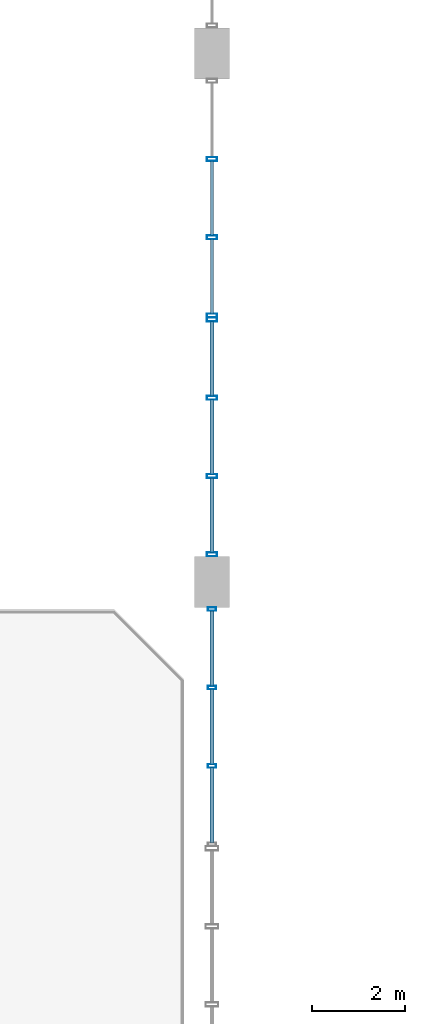
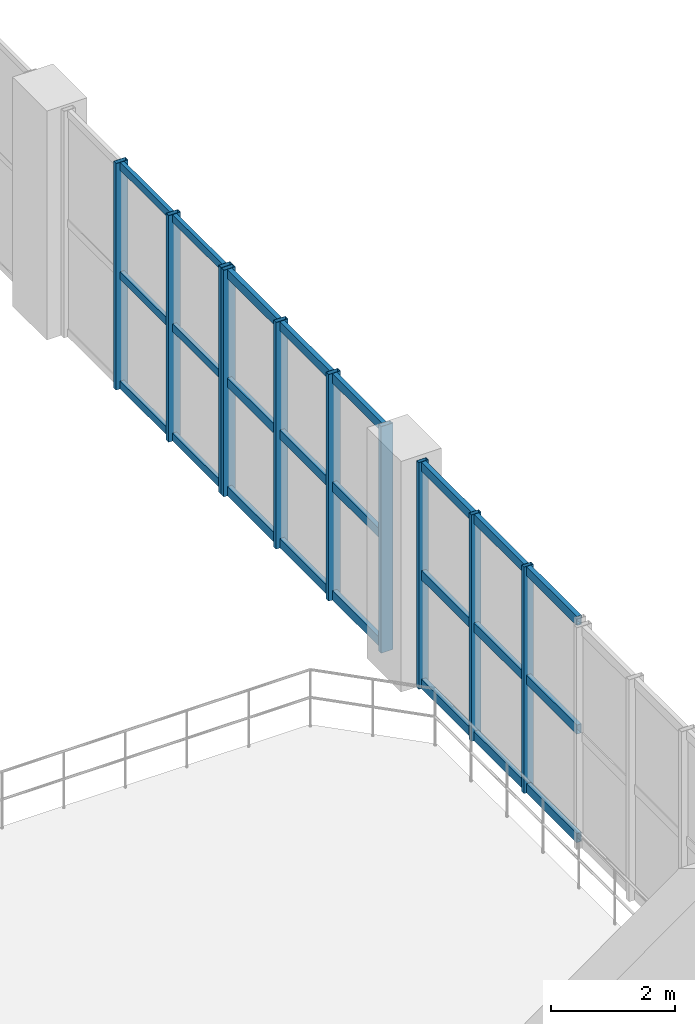
# One storey, part 37 of 80: 34 members, 3 elements without a shape of their own.
"""IFC4 building model written with IfcOpenShell, lengths in metres."""

from ifc_helpers import new_model, si_unit, direction, frame, origin, origin_2d, place, context, subcontext, project, spatial, hollow_rectangle, extrude, material, layer, layer_set, material_profile, profile_set, type_object, element, aggregate, save


model = new_model("IFC4")

# Units and contexts
model_context = context("Model", 3, precision=1e-05, world=origin(), true_north=direction((0.0, 1.0)))
body_context = subcontext(model_context, "Body", "Model", "MODEL_VIEW")
ifc_project = project(units=[si_unit("LENGTHUNIT", "METRE"), si_unit("AREAUNIT", "SQUARE_METRE"), si_unit("VOLUMEUNIT", "CUBIC_METRE"), si_unit("PLANEANGLEUNIT", "RADIAN"), si_unit("MASSUNIT", "GRAM", prefix="KILO"), si_unit("POWERUNIT", "WATT"), si_unit("THERMODYNAMICTEMPERATUREUNIT", "KELVIN")], contexts=[model_context])

# Site, building, storey
site_placement = place(None, origin())
site = spatial("IfcSite", under=ifc_project, at=site_placement, CompositionType="ELEMENT")
building_placement = place(site_placement, origin())
building = spatial("IfcBuilding", under=site, at=building_placement, Name="Kelmbourne Parkland Aquatics Centre", CompositionType="ELEMENT")
storey_placement = place(building_placement, frame((0.0, 0.0, 10.199951171875)))
storey = spatial("IfcBuildingStorey", under=building, at=storey_placement, Name="L02", CompositionType="ELEMENT", Elevation=10.199951171875)

# Curtain wall, members
ifc_material = material(Name="Thermally broken anodised aluminium framing", Category="aluminium")
ifc_layer_1 = layer(ifc_material, 0.179931640625)
ifc_layer_set_1 = layer_set([ifc_layer_1], Name="Thermally broken anodised aluminium framing")
curtain_wall_type_1 = type_object("IfcCurtainWallType", Name="CW-08", PredefinedType="NOTDEFINED", material=ifc_layer_set_1)
curtain_wall_1_placement = place(storey_placement, origin())
curtain_wall_1 = element("IfcCurtainWall", 1, at=curtain_wall_1_placement, inside=storey, type_object=curtain_wall_type_1, Name="Wave-hall clerestory curtain wall CW-L02-056", PredefinedType="NOTDEFINED")
ifc_material_profile_1 = material_profile(ifc_material, hollow_rectangle(XDim=0.074951171875, YDim=0.179931640625, WallThickness=0.00439453125, at=origin_2d()), Name="CW-M 75x180")
ifc_profile_set_1 = profile_set([ifc_material_profile_1], Name="Thermally broken anodised aluminium framing")
member_type_1 = type_object("IfcMemberType", Name="MB-MUL-2", PredefinedType="MULLION", material=ifc_profile_set_1)
member_1_placement = place(storey_placement, frame((128.0, 65.228515625, 0.0), z_axis=(0.0, 0.0, 1.0), x_axis=(0.0, 1.0, 0.0)))
member_1 = element("IfcMember", 2, at=member_1_placement, type_object=member_type_1, Name="CW-L02-056 mullion 1", PredefinedType="MULLION", context=body_context, shape_type="SweptSolid", body=[
    extrude(hollow_rectangle(XDim=0.074951171875, YDim=0.179931640625, WallThickness=0.00439453125, at=origin_2d()), origin(), (0.0, 0.0, 1.0), 4.449951171875),
])
member_2_placement = place(storey_placement, frame((128.0, 66.91943359375, 0.0), z_axis=(0.0, 0.0, 1.0), x_axis=(0.0, 1.0, 0.0)))
member_2 = element("IfcMember", 3, at=member_2_placement, type_object=member_type_1, Name="CW-L02-056 mullion 2", PredefinedType="MULLION", context=body_context, shape_type="SweptSolid", body=[
    extrude(hollow_rectangle(XDim=0.074951171875, YDim=0.179931640625, WallThickness=0.00439453125, at=origin_2d()), origin(), (0.0, 0.0, 1.0), 4.449951171875),
])
member_3_placement = place(storey_placement, frame((128.0, 68.610595703125, 0.0), z_axis=(0.0, 0.0, 1.0), x_axis=(0.0, 1.0, 0.0)))
member_3 = element("IfcMember", 4, at=member_3_placement, type_object=member_type_1, Name="CW-L02-056 mullion 3", PredefinedType="MULLION", context=body_context, shape_type="SweptSolid", body=[
    extrude(hollow_rectangle(XDim=0.074951171875, YDim=0.179931640625, WallThickness=0.00439453125, at=origin_2d()), origin(), (0.0, 0.0, 1.0), 4.449951171875),
])

ifc_layer_2 = layer(ifc_material, 0.179931640625)
ifc_layer_set_2 = layer_set([ifc_layer_2], Name="Thermally broken anodised aluminium framing")
curtain_wall_type_2 = type_object("IfcCurtainWallType", Name="CW-14", PredefinedType="NOTDEFINED", material=ifc_layer_set_2)
curtain_wall_2_placement = place(storey_placement, origin())
curtain_wall_2 = element("IfcCurtainWall", 5, at=curtain_wall_2_placement, inside=storey, type_object=curtain_wall_type_2, Name="Wave-hall clerestory curtain wall CW-L02-062", PredefinedType="NOTDEFINED")
ifc_material_profile_2 = material_profile(ifc_material, hollow_rectangle(XDim=0.0849609375, YDim=0.219970703125, WallThickness=0.0048828125, at=origin_2d()), Name="CW-M 85x220")
ifc_profile_set_2 = profile_set([ifc_material_profile_2], Name="Thermally broken anodised aluminium framing")
member_type_2 = type_object("IfcMemberType", Name="MB-MUL-3", PredefinedType="MULLION", material=ifc_profile_set_2)
member_4_placement = place(storey_placement, frame((128.0, 69.79443359375, 0.0), z_axis=(0.0, 0.0, 1.0), x_axis=(0.0, 1.0, 0.0)))
member_4 = element("IfcMember", 6, at=member_4_placement, type_object=member_type_2, Name="CW-L02-062 mullion 0", PredefinedType="MULLION", context=body_context, shape_type="SweptSolid", body=[
    extrude(hollow_rectangle(XDim=0.0849609375, YDim=0.219970703125, WallThickness=0.0048828125, at=origin_2d()), origin(), (0.0, 0.0, 1.0), 4.449951171875),
])
member_5_placement = place(storey_placement, frame((128.0, 71.482177734375, 0.0), z_axis=(0.0, 0.0, 1.0), x_axis=(0.0, 1.0, 0.0)))
member_5 = element("IfcMember", 7, at=member_5_placement, type_object=member_type_2, Name="CW-L02-062 mullion 1", PredefinedType="MULLION", context=body_context, shape_type="SweptSolid", body=[
    extrude(hollow_rectangle(XDim=0.0849609375, YDim=0.219970703125, WallThickness=0.0048828125, at=origin_2d()), origin(), (0.0, 0.0, 1.0), 4.449951171875),
])
member_6_placement = place(storey_placement, frame((128.0, 73.169921875, 0.0), z_axis=(0.0, 0.0, 1.0), x_axis=(0.0, 1.0, 0.0)))
member_6 = element("IfcMember", 8, at=member_6_placement, type_object=member_type_2, Name="CW-L02-062 mullion 2", PredefinedType="MULLION", context=body_context, shape_type="SweptSolid", body=[
    extrude(hollow_rectangle(XDim=0.0849609375, YDim=0.219970703125, WallThickness=0.0048828125, at=origin_2d()), origin(), (0.0, 0.0, 1.0), 4.449951171875),
])
member_7_placement = place(storey_placement, frame((128.0, 74.857421875, 0.0), z_axis=(0.0, 0.0, 1.0), x_axis=(0.0, 1.0, 0.0)))
member_7 = element("IfcMember", 9, at=member_7_placement, type_object=member_type_2, Name="CW-L02-062 mullion 3", PredefinedType="MULLION", context=body_context, shape_type="SweptSolid", body=[
    extrude(hollow_rectangle(XDim=0.0849609375, YDim=0.219970703125, WallThickness=0.0048828125, at=origin_2d()), origin(), (0.0, 0.0, 1.0), 4.449951171875),
])

ifc_layer_3 = layer(ifc_material, 0.179931640625)
ifc_layer_set_3 = layer_set([ifc_layer_3], Name="Thermally broken anodised aluminium framing")
curtain_wall_type_3 = type_object("IfcCurtainWallType", Name="CW-19", PredefinedType="NOTDEFINED", material=ifc_layer_set_3)
curtain_wall_3_placement = place(storey_placement, origin())
curtain_wall_3 = element("IfcCurtainWall", 10, at=curtain_wall_3_placement, inside=storey, type_object=curtain_wall_type_3, Name="Wave-hall clerestory curtain wall CW-L02-067", PredefinedType="NOTDEFINED")
member_8_placement = place(storey_placement, frame((128.0, 74.9423828125, 0.0), z_axis=(0.0, 0.0, 1.0), x_axis=(0.0, 1.0, 0.0)))
member_8 = element("IfcMember", 11, at=member_8_placement, type_object=member_type_2, Name="CW-L02-067 mullion 0", PredefinedType="MULLION", context=body_context, shape_type="SweptSolid", body=[
    extrude(hollow_rectangle(XDim=0.0849609375, YDim=0.219970703125, WallThickness=0.0048828125, at=origin_2d()), origin(), (0.0, 0.0, 1.0), 4.449951171875),
])
member_9_placement = place(storey_placement, frame((128.0, 76.630126953125, 0.0), z_axis=(0.0, 0.0, 1.0), x_axis=(0.0, 1.0, 0.0)))
member_9 = element("IfcMember", 12, at=member_9_placement, type_object=member_type_2, Name="CW-L02-067 mullion 1", PredefinedType="MULLION", context=body_context, shape_type="SweptSolid", body=[
    extrude(hollow_rectangle(XDim=0.0849609375, YDim=0.219970703125, WallThickness=0.0048828125, at=origin_2d()), origin(), (0.0, 0.0, 1.0), 4.449951171875),
])
member_10_placement = place(storey_placement, frame((128.0, 78.31787109375, 0.0), z_axis=(0.0, 0.0, 1.0), x_axis=(0.0, 1.0, 0.0)))
member_10 = element("IfcMember", 13, at=member_10_placement, type_object=member_type_2, Name="CW-L02-067 mullion 2", PredefinedType="MULLION", context=body_context, shape_type="SweptSolid", body=[
    extrude(hollow_rectangle(XDim=0.0849609375, YDim=0.219970703125, WallThickness=0.0048828125, at=origin_2d()), origin(), (0.0, 0.0, 1.0), 4.449951171875),
])
ifc_material_profile_3 = material_profile(ifc_material, hollow_rectangle(XDim=0.074951171875, YDim=0.14990234375, WallThickness=0.00390625, at=origin_2d()), Name="CW-T 75x150")
ifc_profile_set_3 = profile_set([ifc_material_profile_3], Name="Thermally broken anodised aluminium framing")
member_type_3 = type_object("IfcMemberType", Name="MB-TRN-2", PredefinedType="USERDEFINED", material=ifc_profile_set_3)
member_11_placement = place(storey_placement, frame((128.0, 74.98095703125, 0.078125), z_axis=(0.0, 1.0, 0.0), x_axis=(-1.0, 0.0, 0.0)))
member_11 = element("IfcMember", 14, at=member_11_placement, type_object=member_type_3, Name="CW-L02-067 transom 0-0", ObjectType="TRANSOM", PredefinedType="USERDEFINED", context=body_context, shape_type="SweptSolid", body=[
    extrude(hollow_rectangle(XDim=0.074951171875, YDim=0.14990234375, WallThickness=0.00390625, at=origin_2d()), origin(), (0.0, 0.0, 1.0), 1.61083984375),
])
member_12_placement = place(storey_placement, frame((128.0, 76.668701171875, 0.078125), z_axis=(0.0, 1.0, 0.0), x_axis=(-1.0, 0.0, 0.0)))
member_12 = element("IfcMember", 15, at=member_12_placement, type_object=member_type_3, Name="CW-L02-067 transom 0-1", ObjectType="TRANSOM", PredefinedType="USERDEFINED", context=body_context, shape_type="SweptSolid", body=[
    extrude(hollow_rectangle(XDim=0.074951171875, YDim=0.14990234375, WallThickness=0.00390625, at=origin_2d()), origin(), (0.0, 0.0, 1.0), 1.610595703125),
])
member_13_placement = place(storey_placement, frame((128.0, 74.98095703125, 2.22509765625), z_axis=(0.0, 1.0, 0.0), x_axis=(-1.0, 0.0, 0.0)))
member_13 = element("IfcMember", 16, at=member_13_placement, type_object=member_type_3, Name="CW-L02-067 transom 1-0", ObjectType="TRANSOM", PredefinedType="USERDEFINED", context=body_context, shape_type="SweptSolid", body=[
    extrude(hollow_rectangle(XDim=0.074951171875, YDim=0.14990234375, WallThickness=0.00390625, at=origin_2d()), origin(), (0.0, 0.0, 1.0), 1.61083984375),
])
member_14_placement = place(storey_placement, frame((128.0, 76.668701171875, 2.22509765625), z_axis=(0.0, 1.0, 0.0), x_axis=(-1.0, 0.0, 0.0)))
member_14 = element("IfcMember", 17, at=member_14_placement, type_object=member_type_3, Name="CW-L02-067 transom 1-1", ObjectType="TRANSOM", PredefinedType="USERDEFINED", context=body_context, shape_type="SweptSolid", body=[
    extrude(hollow_rectangle(XDim=0.074951171875, YDim=0.14990234375, WallThickness=0.00390625, at=origin_2d()), origin(), (0.0, 0.0, 1.0), 1.610595703125),
])
member_15_placement = place(storey_placement, frame((128.0, 74.98095703125, 4.3720703125), z_axis=(0.0, 1.0, 0.0), x_axis=(-1.0, 0.0, 0.0)))
member_15 = element("IfcMember", 18, at=member_15_placement, type_object=member_type_3, Name="CW-L02-067 transom 2-0", ObjectType="TRANSOM", PredefinedType="USERDEFINED", context=body_context, shape_type="SweptSolid", body=[
    extrude(hollow_rectangle(XDim=0.074951171875, YDim=0.14990234375, WallThickness=0.00390625, at=origin_2d()), origin(), (0.0, 0.0, 1.0), 1.61083984375),
])
member_16_placement = place(storey_placement, frame((128.0, 76.668701171875, 4.3720703125), z_axis=(0.0, 1.0, 0.0), x_axis=(-1.0, 0.0, 0.0)))
member_16 = element("IfcMember", 19, at=member_16_placement, type_object=member_type_3, Name="CW-L02-067 transom 2-1", ObjectType="TRANSOM", PredefinedType="USERDEFINED", context=body_context, shape_type="SweptSolid", body=[
    extrude(hollow_rectangle(XDim=0.074951171875, YDim=0.14990234375, WallThickness=0.00390625, at=origin_2d()), origin(), (0.0, 0.0, 1.0), 1.610595703125),
])
aggregate(curtain_wall_3, [member_8, member_9, member_10, member_11, member_12, member_13, member_14, member_15, member_16])

# Member
ifc_material_profile_4 = material_profile(ifc_material, hollow_rectangle(XDim=0.0849609375, YDim=0.179931640625, WallThickness=0.00439453125, at=origin_2d()), Name="CW-T 85x180")
ifc_profile_set_4 = profile_set([ifc_material_profile_4], Name="Thermally broken anodised aluminium framing")
member_type_4 = type_object("IfcMemberType", Name="MB-TRN-3", PredefinedType="USERDEFINED", material=ifc_profile_set_4)
member_17_placement = place(storey_placement, frame((128.0, 63.571044921875, 0.093017578125), z_axis=(0.0, 1.0, 0.0), x_axis=(-1.0, 0.0, 0.0)))
member_17 = element("IfcMember", 20, at=member_17_placement, type_object=member_type_4, Name="CW-L02-056 transom 0-0", ObjectType="TRANSOM", PredefinedType="USERDEFINED", context=body_context, shape_type="SweptSolid", body=[
    extrude(hollow_rectangle(XDim=0.0849609375, YDim=0.179931640625, WallThickness=0.00439453125, at=origin_2d()), origin(), (0.0, 0.0, 1.0), 1.6240234375),
])

member_18_placement = place(storey_placement, frame((128.0, 65.261962890625, 0.093017578125), z_axis=(0.0, 1.0, 0.0), x_axis=(-1.0, 0.0, 0.0)))
member_18 = element("IfcMember", 21, at=member_18_placement, type_object=member_type_4, Name="CW-L02-056 transom 0-1", ObjectType="TRANSOM", PredefinedType="USERDEFINED", context=body_context, shape_type="SweptSolid", body=[
    extrude(hollow_rectangle(XDim=0.0849609375, YDim=0.179931640625, WallThickness=0.00439453125, at=origin_2d()), origin(), (0.0, 0.0, 1.0), 1.6240234375),
])

member_19_placement = place(storey_placement, frame((128.0, 66.952880859375, 0.093017578125), z_axis=(0.0, 1.0, 0.0), x_axis=(-1.0, 0.0, 0.0)))
member_19 = element("IfcMember", 22, at=member_19_placement, type_object=member_type_4, Name="CW-L02-056 transom 0-2", ObjectType="TRANSOM", PredefinedType="USERDEFINED", context=body_context, shape_type="SweptSolid", body=[
    extrude(hollow_rectangle(XDim=0.0849609375, YDim=0.179931640625, WallThickness=0.00439453125, at=origin_2d()), origin(), (0.0, 0.0, 1.0), 1.6240234375),
])

member_20_placement = place(storey_placement, frame((128.0, 63.571044921875, 2.22509765625), z_axis=(0.0, 1.0, 0.0), x_axis=(-1.0, 0.0, 0.0)))
member_20 = element("IfcMember", 23, at=member_20_placement, type_object=member_type_4, Name="CW-L02-056 transom 1-0", ObjectType="TRANSOM", PredefinedType="USERDEFINED", context=body_context, shape_type="SweptSolid", body=[
    extrude(hollow_rectangle(XDim=0.0849609375, YDim=0.179931640625, WallThickness=0.00439453125, at=origin_2d()), origin(), (0.0, 0.0, 1.0), 1.6240234375),
])

member_21_placement = place(storey_placement, frame((128.0, 65.261962890625, 2.22509765625), z_axis=(0.0, 1.0, 0.0), x_axis=(-1.0, 0.0, 0.0)))
member_21 = element("IfcMember", 24, at=member_21_placement, type_object=member_type_4, Name="CW-L02-056 transom 1-1", ObjectType="TRANSOM", PredefinedType="USERDEFINED", context=body_context, shape_type="SweptSolid", body=[
    extrude(hollow_rectangle(XDim=0.0849609375, YDim=0.179931640625, WallThickness=0.00439453125, at=origin_2d()), origin(), (0.0, 0.0, 1.0), 1.6240234375),
])

member_22_placement = place(storey_placement, frame((128.0, 66.952880859375, 2.22509765625), z_axis=(0.0, 1.0, 0.0), x_axis=(-1.0, 0.0, 0.0)))
member_22 = element("IfcMember", 25, at=member_22_placement, type_object=member_type_4, Name="CW-L02-056 transom 1-2", ObjectType="TRANSOM", PredefinedType="USERDEFINED", context=body_context, shape_type="SweptSolid", body=[
    extrude(hollow_rectangle(XDim=0.0849609375, YDim=0.179931640625, WallThickness=0.00439453125, at=origin_2d()), origin(), (0.0, 0.0, 1.0), 1.6240234375),
])

member_23_placement = place(storey_placement, frame((128.0, 63.571044921875, 4.35693359375), z_axis=(0.0, 1.0, 0.0), x_axis=(-1.0, 0.0, 0.0)))
member_23 = element("IfcMember", 26, at=member_23_placement, type_object=member_type_4, Name="CW-L02-056 transom 2-0", ObjectType="TRANSOM", PredefinedType="USERDEFINED", context=body_context, shape_type="SweptSolid", body=[
    extrude(hollow_rectangle(XDim=0.0849609375, YDim=0.179931640625, WallThickness=0.00439453125, at=origin_2d()), origin(), (0.0, 0.0, 1.0), 1.6240234375),
])

member_24_placement = place(storey_placement, frame((128.0, 65.261962890625, 4.35693359375), z_axis=(0.0, 1.0, 0.0), x_axis=(-1.0, 0.0, 0.0)))
member_24 = element("IfcMember", 27, at=member_24_placement, type_object=member_type_4, Name="CW-L02-056 transom 2-1", ObjectType="TRANSOM", PredefinedType="USERDEFINED", context=body_context, shape_type="SweptSolid", body=[
    extrude(hollow_rectangle(XDim=0.0849609375, YDim=0.179931640625, WallThickness=0.00439453125, at=origin_2d()), origin(), (0.0, 0.0, 1.0), 1.6240234375),
])

member_25_placement = place(storey_placement, frame((128.0, 66.952880859375, 4.35693359375), z_axis=(0.0, 1.0, 0.0), x_axis=(-1.0, 0.0, 0.0)))
member_25 = element("IfcMember", 28, at=member_25_placement, type_object=member_type_4, Name="CW-L02-056 transom 2-2", ObjectType="TRANSOM", PredefinedType="USERDEFINED", context=body_context, shape_type="SweptSolid", body=[
    extrude(hollow_rectangle(XDim=0.0849609375, YDim=0.179931640625, WallThickness=0.00439453125, at=origin_2d()), origin(), (0.0, 0.0, 1.0), 1.6240234375),
])

aggregate(curtain_wall_1, [member_1, member_2, member_3, member_17, member_18, member_19, member_20, member_21, member_22, member_23, member_24, member_25])

member_26_placement = place(storey_placement, frame((128.0, 69.8330078125, 0.093017578125), z_axis=(0.0, 1.0, 0.0), x_axis=(-1.0, 0.0, 0.0)))
member_26 = element("IfcMember", 29, at=member_26_placement, type_object=member_type_4, Name="CW-L02-062 transom 0-0", ObjectType="TRANSOM", PredefinedType="USERDEFINED", context=body_context, shape_type="SweptSolid", body=[
    extrude(hollow_rectangle(XDim=0.0849609375, YDim=0.179931640625, WallThickness=0.00439453125, at=origin_2d()), origin(), (0.0, 0.0, 1.0), 1.610595703125),
])

member_27_placement = place(storey_placement, frame((128.0, 71.520751953125, 0.093017578125), z_axis=(0.0, 1.0, 0.0), x_axis=(-1.0, 0.0, 0.0)))
member_27 = element("IfcMember", 30, at=member_27_placement, type_object=member_type_4, Name="CW-L02-062 transom 0-1", ObjectType="TRANSOM", PredefinedType="USERDEFINED", context=body_context, shape_type="SweptSolid", body=[
    extrude(hollow_rectangle(XDim=0.0849609375, YDim=0.179931640625, WallThickness=0.00439453125, at=origin_2d()), origin(), (0.0, 0.0, 1.0), 1.610595703125),
])

member_28_placement = place(storey_placement, frame((128.0, 73.208251953125, 0.093017578125), z_axis=(0.0, 1.0, 0.0), x_axis=(-1.0, 0.0, 0.0)))
member_28 = element("IfcMember", 31, at=member_28_placement, type_object=member_type_4, Name="CW-L02-062 transom 0-2", ObjectType="TRANSOM", PredefinedType="USERDEFINED", context=body_context, shape_type="SweptSolid", body=[
    extrude(hollow_rectangle(XDim=0.0849609375, YDim=0.179931640625, WallThickness=0.00439453125, at=origin_2d()), origin(), (0.0, 0.0, 1.0), 1.61083984375),
])

member_29_placement = place(storey_placement, frame((128.0, 69.8330078125, 2.22509765625), z_axis=(0.0, 1.0, 0.0), x_axis=(-1.0, 0.0, 0.0)))
member_29 = element("IfcMember", 32, at=member_29_placement, type_object=member_type_4, Name="CW-L02-062 transom 1-0", ObjectType="TRANSOM", PredefinedType="USERDEFINED", context=body_context, shape_type="SweptSolid", body=[
    extrude(hollow_rectangle(XDim=0.0849609375, YDim=0.179931640625, WallThickness=0.00439453125, at=origin_2d()), origin(), (0.0, 0.0, 1.0), 1.610595703125),
])

member_30_placement = place(storey_placement, frame((128.0, 71.520751953125, 2.22509765625), z_axis=(0.0, 1.0, 0.0), x_axis=(-1.0, 0.0, 0.0)))
member_30 = element("IfcMember", 33, at=member_30_placement, type_object=member_type_4, Name="CW-L02-062 transom 1-1", ObjectType="TRANSOM", PredefinedType="USERDEFINED", context=body_context, shape_type="SweptSolid", body=[
    extrude(hollow_rectangle(XDim=0.0849609375, YDim=0.179931640625, WallThickness=0.00439453125, at=origin_2d()), origin(), (0.0, 0.0, 1.0), 1.610595703125),
])

member_31_placement = place(storey_placement, frame((128.0, 73.208251953125, 2.22509765625), z_axis=(0.0, 1.0, 0.0), x_axis=(-1.0, 0.0, 0.0)))
member_31 = element("IfcMember", 34, at=member_31_placement, type_object=member_type_4, Name="CW-L02-062 transom 1-2", ObjectType="TRANSOM", PredefinedType="USERDEFINED", context=body_context, shape_type="SweptSolid", body=[
    extrude(hollow_rectangle(XDim=0.0849609375, YDim=0.179931640625, WallThickness=0.00439453125, at=origin_2d()), origin(), (0.0, 0.0, 1.0), 1.61083984375),
])

member_32_placement = place(storey_placement, frame((128.0, 69.8330078125, 4.35693359375), z_axis=(0.0, 1.0, 0.0), x_axis=(-1.0, 0.0, 0.0)))
member_32 = element("IfcMember", 35, at=member_32_placement, type_object=member_type_4, Name="CW-L02-062 transom 2-0", ObjectType="TRANSOM", PredefinedType="USERDEFINED", context=body_context, shape_type="SweptSolid", body=[
    extrude(hollow_rectangle(XDim=0.0849609375, YDim=0.179931640625, WallThickness=0.00439453125, at=origin_2d()), origin(), (0.0, 0.0, 1.0), 1.610595703125),
])

member_33_placement = place(storey_placement, frame((128.0, 71.520751953125, 4.35693359375), z_axis=(0.0, 1.0, 0.0), x_axis=(-1.0, 0.0, 0.0)))
member_33 = element("IfcMember", 36, at=member_33_placement, type_object=member_type_4, Name="CW-L02-062 transom 2-1", ObjectType="TRANSOM", PredefinedType="USERDEFINED", context=body_context, shape_type="SweptSolid", body=[
    extrude(hollow_rectangle(XDim=0.0849609375, YDim=0.179931640625, WallThickness=0.00439453125, at=origin_2d()), origin(), (0.0, 0.0, 1.0), 1.610595703125),
])

member_34_placement = place(storey_placement, frame((128.0, 73.208251953125, 4.35693359375), z_axis=(0.0, 1.0, 0.0), x_axis=(-1.0, 0.0, 0.0)))
member_34 = element("IfcMember", 37, at=member_34_placement, type_object=member_type_4, Name="CW-L02-062 transom 2-2", ObjectType="TRANSOM", PredefinedType="USERDEFINED", context=body_context, shape_type="SweptSolid", body=[
    extrude(hollow_rectangle(XDim=0.0849609375, YDim=0.179931640625, WallThickness=0.00439453125, at=origin_2d()), origin(), (0.0, 0.0, 1.0), 1.61083984375),
])

aggregate(curtain_wall_2, [member_4, member_5, member_6, member_7, member_26, member_27, member_28, member_29, member_30, member_31, member_32, member_33, member_34])

save(model, "model.ifc")
